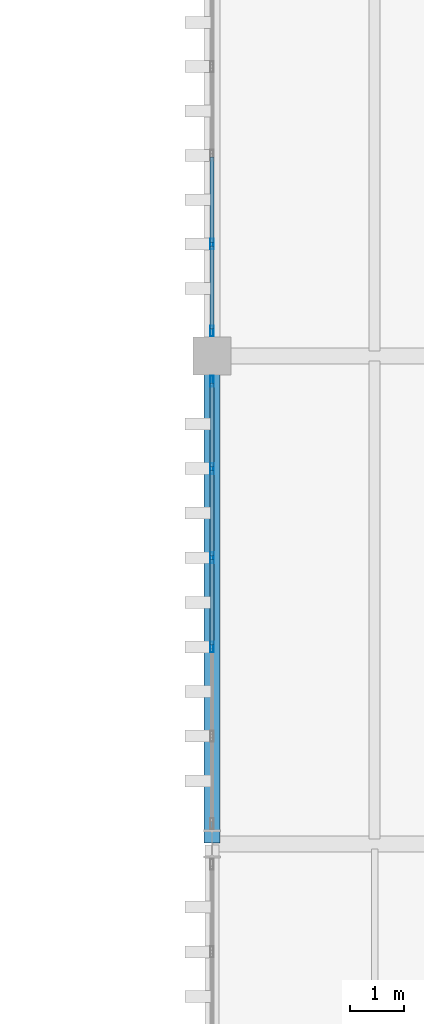
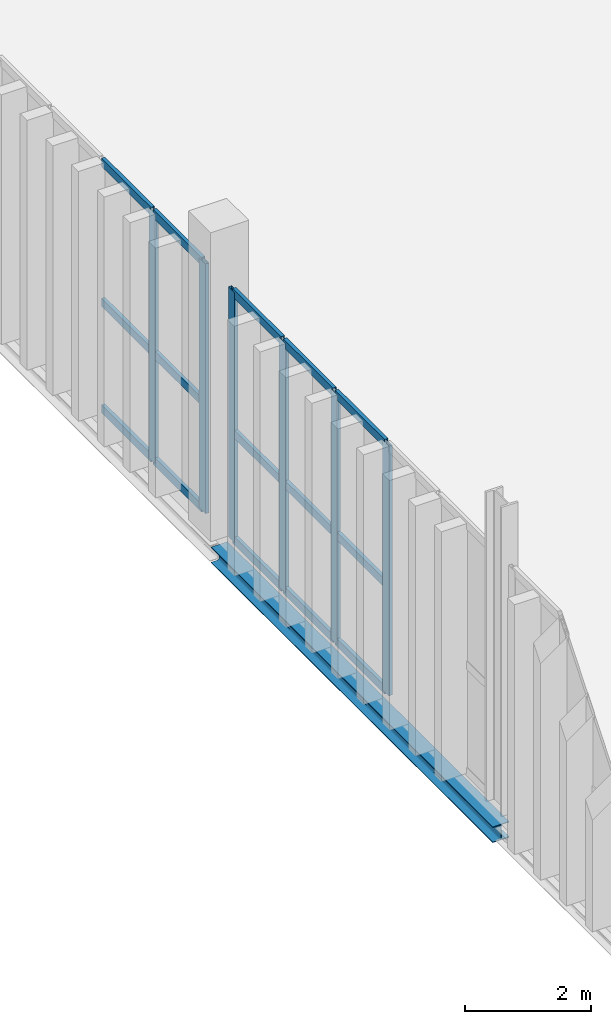
# One storey, part 75 of 237: 21 members, 1 beam, 2 elements without a shape of their own.
"""IFC4 building model written with IfcOpenShell, lengths in metres."""

import ifcopenshell
import ifcopenshell.guid

model = None  # the IFC model being written
_history = None  # IfcOwnerHistory: only IFC2X3 demands one
_inside = {}  # id of a spatial element -> (the spatial element, [elements in it])
_under = {}  # id of a project, library or spatial element -> (it, [spatial elements below it])
_declared = {}  # id of a project -> (the project, [libraries it declares])
_typed = {}  # id of a type object -> (the type object, [elements of that type])
_made_of = {}  # id of a material, layer set ... -> (it, [elements and type objects made of it])


def new_model(schema):
    """Start an empty IFC model of exactly this schema.

    Asked for "IFC4X3", IfcOpenShell would pick the latest addendum, in which some entities
    have other attributes; the version numbers below select the first issue.
    IFC2X3 requires an IfcOwnerHistory on every rooted entity: one is made here for all.
    """
    global model, _history
    if schema == "IFC4X3":
        model = ifcopenshell.file(schema_version=(4, 3, 0, 0))
    else:
        model = ifcopenshell.file(schema=schema)
    _inside.clear()
    _under.clear()
    _declared.clear()
    _typed.clear()
    _made_of.clear()
    _history = None
    if model.schema == "IFC2X3":
        org = make("IfcOrganization", Name="unknown")
        user = make(
            "IfcPersonAndOrganization",
            ThePerson=make("IfcPerson", FamilyName="unknown"),
            TheOrganization=org,
        )
        app = make(
            "IfcApplication",
            ApplicationDeveloper=org,
            Version="unknown",
            ApplicationFullName="unknown",
            ApplicationIdentifier="unknown",
        )
        _history = make(
            "IfcOwnerHistory",
            OwningUser=user,
            OwningApplication=app,
            ChangeAction="ADDED",
            CreationDate=0,
        )
    return model


def make(cls, **values):
    """One entity of the class cls with the attributes given. An attribute that is None is left unset."""
    return model.create_entity(
        cls, **{name: value for name, value in values.items() if value is not None}
    )


def rooted(cls, **values):
    """An entity with a GlobalId (a new one), such as an element, a storey or a relation."""
    return make(cls, GlobalId=ifcopenshell.guid.new(), OwnerHistory=_history, **values)


def si_unit(unit_type, name, prefix=None):
    """IfcSIUnit, for example si_unit("LENGTHUNIT", "METRE", prefix="MILLI")."""
    return make("IfcSIUnit", UnitType=unit_type, Prefix=prefix, Name=name)


def assignment(units):
    """IfcUnitAssignment: the units of a project."""
    return None if units is None else make("IfcUnitAssignment", Units=units)


def point(xyz):
    """IfcCartesianPoint."""
    return None if xyz is None else make("IfcCartesianPoint", Coordinates=xyz)


def direction(xyz):
    """IfcDirection."""
    return None if xyz is None else make("IfcDirection", DirectionRatios=xyz)


def frame(location, z_axis=None, x_axis=None):
    """IfcAxis2Placement3D, a coordinate frame: its origin and axes. An axis left out is left unset."""
    return make(
        "IfcAxis2Placement3D",
        Location=point(location),
        Axis=direction(z_axis),
        RefDirection=direction(x_axis),
    )


def frame_2d(location, x_axis=None):
    """IfcAxis2Placement2D, a coordinate frame in the plane: its origin and x axis."""
    return make(
        "IfcAxis2Placement2D", Location=point(location), RefDirection=direction(x_axis)
    )


def origin():
    """The frame at (0, 0, 0) with its axes left unset."""
    return frame((0.0, 0.0, 0.0))


def origin_2d():
    """The frame at (0, 0) in the plane with its x axis left unset."""
    return frame_2d((0.0, 0.0))


def place(relative_to, where):
    """IfcLocalPlacement: puts the frame where relative to a parent placement (None: the world)."""
    return make(
        "IfcLocalPlacement", PlacementRelTo=relative_to, RelativePlacement=where
    )


def context(
    kind, dimensions, precision=None, world=None, true_north=None, identifier=None
):
    """IfcGeometricRepresentationContext, for example the 3D "Model" context."""
    return make(
        "IfcGeometricRepresentationContext",
        ContextIdentifier=identifier,
        ContextType=kind,
        CoordinateSpaceDimension=dimensions,
        Precision=precision,
        WorldCoordinateSystem=world,
        TrueNorth=true_north,
    )


def subcontext(parent, identifier, kind, view, scale=None):
    """IfcGeometricRepresentationSubContext, for example "Body" below "Model"."""
    return make(
        "IfcGeometricRepresentationSubContext",
        ContextIdentifier=identifier,
        ContextType=kind,
        ParentContext=parent,
        TargetScale=scale,
        TargetView=view,
    )


def project(units=None, contexts=None):
    """IfcProject with its units and contexts."""
    return rooted(
        "IfcProject",
        Name="project",
        RepresentationContexts=contexts,
        UnitsInContext=assignment(units),
    )


def spatial(cls, under=None, at=None, **own):
    """A site, building, storey or space (cls), placed at a placement, below another one or the project."""
    s = rooted(cls, ObjectPlacement=at, **own)
    if under is not None:
        _under.setdefault(under.id(), (under, []))[1].append(s)
    return s


def profile(cls, at=None, kind="AREA", **sizes):
    """A parametric profile (cls). Its sizes go by their IFC names, for example OverallWidth=200.0."""
    return make(cls, ProfileType=kind, Position=at, **sizes)


def hollow_rectangle(**sizes):
    """IfcRectangleHollowProfileDef."""
    return profile("IfcRectangleHollowProfileDef", **sizes)


def i_section(**sizes):
    """IfcIShapeProfileDef."""
    return profile("IfcIShapeProfileDef", **sizes)


def extrude(swept, where, along, depth):
    """IfcExtrudedAreaSolid: the profile swept, set in the frame where, extruded along a direction by depth."""
    return make(
        "IfcExtrudedAreaSolid",
        SweptArea=swept,
        Position=where,
        ExtrudedDirection=direction(along),
        Depth=depth,
    )


def shape(context_of_items, identifier, shape_type, items):
    """IfcShapeRepresentation: the items that make up one representation, for example the "Body"."""
    return make(
        "IfcShapeRepresentation",
        ContextOfItems=context_of_items,
        RepresentationIdentifier=identifier,
        RepresentationType=shape_type,
        Items=items,
    )


def material(Name=None, Category=None):
    """IfcMaterial."""
    return make("IfcMaterial", Name=Name, Category=Category)


def layer(
    of_material, thickness, ventilated=None, Name=None, Category=None, Priority=None
):
    """IfcMaterialLayer: one layer of a wall or slab, of a material (None: an air gap)."""
    return make(
        "IfcMaterialLayer",
        Material=of_material,
        LayerThickness=thickness,
        IsVentilated=ventilated,
        Name=Name,
        Category=Category,
        Priority=Priority,
    )


def layer_set(layers, Name=None):
    """IfcMaterialLayerSet."""
    return make("IfcMaterialLayerSet", MaterialLayers=layers, LayerSetName=Name)


def material_profile(
    of_material, cross_section, Name=None, Category=None, Priority=None
):
    """IfcMaterialProfile: a cross section and its material."""
    return make(
        "IfcMaterialProfile",
        Name=Name,
        Material=of_material,
        Profile=cross_section,
        Priority=Priority,
        Category=Category,
    )


def profile_set(profiles, Name=None, composite=None):
    """IfcMaterialProfileSet."""
    return make(
        "IfcMaterialProfileSet",
        Name=Name,
        MaterialProfiles=profiles,
        CompositeProfile=composite,
    )


def made_of(thing, what):
    """Note that an element or type object is made of a material, layer set ...; save() writes the relation."""
    if what is not None:
        _made_of.setdefault(what.id(), (what, []))[1].append(thing)
    return thing


def type_object(cls, material=None, **own):
    """A type object (cls), such as IfcWallType, which elements share."""
    return made_of(rooted(cls, **own), material)


def element(
    cls,
    number,
    at=None,
    inside=None,
    cuts=None,
    type_object=None,
    material=None,
    context=None,
    identifier="Body",
    shape_type=None,
    held_by="IfcProductDefinitionShape",
    body=None,
    shapes=None,
    **own,
):
    """One element of the class cls, such as IfcWall. Its Tag is "e" and its number.

    at: its placement. inside: the storey or other place that contains it. cuts: it is an
    opening in that element (IfcRelVoidsElement). A single representation is given by context,
    identifier, shape_type and body (its items); several are given by shapes. held_by: the class
    of the entity that holds the representations. save() writes the other relations.
    """
    e = rooted(cls, Tag="e%d" % number, ObjectPlacement=at, **own)
    if body is not None:
        shapes = [shape(context, identifier, shape_type, body)]
    if shapes is not None:
        e.Representation = make(held_by, Representations=shapes)
    if inside is not None:
        _inside.setdefault(inside.id(), (inside, []))[1].append(e)
    if cuts is not None:
        rooted(
            "IfcRelVoidsElement", RelatingBuildingElement=cuts, RelatedOpeningElement=e
        )
    if type_object is not None:
        _typed.setdefault(type_object.id(), (type_object, []))[1].append(e)
    return made_of(e, material)


def aggregate(whole, parts):
    """IfcRelAggregates: a whole, such as a stair, and the parts it consists of."""
    return rooted("IfcRelAggregates", RelatingObject=whole, RelatedObjects=parts)


def save(model, path):
    """Write the relations noted so far, then the file.

    IfcRelAggregates (storeys below a building ...), IfcRelContainedInSpatialStructure (elements
    in a storey), IfcRelDefinesByType, IfcRelAssociatesMaterial and IfcRelDeclares: one each for
    every whole, place, type object, material and project.
    """
    for whole, parts in _under.values():
        aggregate(whole, parts)
    for where, things in _inside.values():
        rooted(
            "IfcRelContainedInSpatialStructure",
            RelatedElements=things,
            RelatingStructure=where,
        )
    for kind, things in _typed.values():
        rooted("IfcRelDefinesByType", RelatedObjects=things, RelatingType=kind)
    for what, things in _made_of.values():
        rooted("IfcRelAssociatesMaterial", RelatedObjects=things, RelatingMaterial=what)
    for by, libraries in _declared.values():
        rooted("IfcRelDeclares", RelatingContext=by, RelatedDefinitions=libraries)
    model.write(path)


model = new_model("IFC4")

# Units and contexts
model_context = context("Model", 3, precision=1e-05, world=origin(), true_north=direction((0.0, 1.0)))
body_context = subcontext(model_context, "Body", "Model", "MODEL_VIEW")
ifc_project = project(units=[si_unit("LENGTHUNIT", "METRE"), si_unit("AREAUNIT", "SQUARE_METRE"), si_unit("VOLUMEUNIT", "CUBIC_METRE"), si_unit("PLANEANGLEUNIT", "RADIAN"), si_unit("MASSUNIT", "GRAM", prefix="KILO")], contexts=[model_context])

# Site, building, storey
site_placement = place(None, origin())
site = spatial("IfcSite", under=ifc_project, at=site_placement, CompositionType="ELEMENT")
building_placement = place(site_placement, origin())
building = spatial("IfcBuilding", under=site, at=building_placement, Name="Barlavento Convention Centre", CompositionType="ELEMENT")
storey_placement = place(building_placement, frame((0.0, 0.0, 12.0)))
storey = spatial("IfcBuildingStorey", under=building, at=storey_placement, Name="L02", CompositionType="ELEMENT", Elevation=12.0)

# Curtain wall, members
ifc_material_1 = material(Name="Powder-coated aluminium and Low-E glass", Category="aluminium")
ifc_layer = layer(ifc_material_1, 0.195068359375)
ifc_layer_set = layer_set([ifc_layer], Name="ARC-CW-BALL-L02")
curtain_wall_type = type_object("IfcCurtainWallType", Name="ARC-CW-BALL-L02", PredefinedType="NOTDEFINED", material=ifc_layer_set)
curtain_wall_1_placement = place(storey_placement, origin())
curtain_wall_1 = element("IfcCurtainWall", 1, at=curtain_wall_1_placement, inside=storey, type_object=curtain_wall_type, Name="L02 unitised curtain wall CW07", PredefinedType="NOTDEFINED")
ifc_material_2 = material(Name="Powder-coated aluminium", Category="aluminium")
ifc_material_profile_1 = material_profile(ifc_material_2, hollow_rectangle(XDim=0.06494140625, YDim=0.199951171875, WallThickness=0.0048828125, at=origin_2d()), Name="AL-MULL 65x200x5")
ifc_profile_set_1 = profile_set([ifc_material_profile_1], Name="Powder-coated aluminium")
member_type_1 = type_object("IfcMemberType", Name="ARC-CWM-65X200", PredefinedType="MULLION", material=ifc_profile_set_1)
member_1_placement = place(storey_placement, frame((126.0, 12.63330078125, 0.0), z_axis=(0.0, 0.0, 1.0), x_axis=(-1.0, 0.0, 0.0)))
member_1 = element("IfcMember", 2, at=member_1_placement, type_object=member_type_1, Name="CW07 mullion 3", PredefinedType="MULLION", context=body_context, shape_type="SweptSolid", body=[
    extrude(hollow_rectangle(XDim=0.06494140625, YDim=0.199951171875, WallThickness=0.0048828125, at=origin_2d()), origin(), (0.0, 0.0, 1.0), 4.85009765625),
])
member_2_placement = place(storey_placement, frame((126.0, 14.27880859375, 0.0), z_axis=(0.0, 0.0, 1.0), x_axis=(-1.0, 0.0, 0.0)))
member_2 = element("IfcMember", 3, at=member_2_placement, type_object=member_type_1, Name="CW07 mullion 4", PredefinedType="MULLION", context=body_context, shape_type="SweptSolid", body=[
    extrude(hollow_rectangle(XDim=0.06494140625, YDim=0.199951171875, WallThickness=0.0048828125, at=origin_2d()), origin(), (0.0, 0.0, 1.0), 4.85009765625),
])
member_3_placement = place(storey_placement, frame((126.0, 15.92431640625, 0.0), z_axis=(0.0, 0.0, 1.0), x_axis=(-1.0, 0.0, 0.0)))
member_3 = element("IfcMember", 4, at=member_3_placement, type_object=member_type_1, Name="CW07 mullion 5", PredefinedType="MULLION", context=body_context, shape_type="SweptSolid", body=[
    extrude(hollow_rectangle(XDim=0.06494140625, YDim=0.199951171875, WallThickness=0.0048828125, at=origin_2d()), origin(), (0.0, 0.0, 1.0), 4.85009765625),
])
member_4_placement = place(storey_placement, frame((126.0, 17.53759765625, 0.0), z_axis=(0.0, 0.0, 1.0), x_axis=(-1.0, 0.0, 0.0)))
member_4 = element("IfcMember", 5, at=member_4_placement, type_object=member_type_1, Name="CW07 mullion 6", PredefinedType="MULLION", context=body_context, shape_type="SweptSolid", body=[
    extrude(hollow_rectangle(XDim=0.06494140625, YDim=0.199951171875, WallThickness=0.0048828125, at=origin_2d()), origin(), (0.0, 0.0, 1.0), 4.85009765625),
])

curtain_wall_2_placement = place(storey_placement, origin())
curtain_wall_2 = element("IfcCurtainWall", 6, at=curtain_wall_2_placement, inside=storey, type_object=curtain_wall_type, Name="L02 unitised curtain wall CW07", PredefinedType="NOTDEFINED")
member_5_placement = place(storey_placement, frame((126.0, 18.46240234375, 0.0), z_axis=(0.0, 0.0, 1.0), x_axis=(-1.0, 0.0, 0.0)))
member_5 = element("IfcMember", 7, at=member_5_placement, type_object=member_type_1, Name="CW07 mullion 1", PredefinedType="MULLION", context=body_context, shape_type="SweptSolid", body=[
    extrude(hollow_rectangle(XDim=0.06494140625, YDim=0.199951171875, WallThickness=0.0048828125, at=origin_2d()), origin(), (0.0, 0.0, 1.0), 4.85009765625),
])
member_6_placement = place(storey_placement, frame((126.0, 20.06591796875, 0.0), z_axis=(0.0, 0.0, 1.0), x_axis=(-1.0, 0.0, 0.0)))
member_6 = element("IfcMember", 8, at=member_6_placement, type_object=member_type_1, Name="CW07 mullion 2", PredefinedType="MULLION", context=body_context, shape_type="SweptSolid", body=[
    extrude(hollow_rectangle(XDim=0.06494140625, YDim=0.199951171875, WallThickness=0.0048828125, at=origin_2d()), origin(), (0.0, 0.0, 1.0), 4.85009765625),
])

# Member
ifc_material_profile_2 = material_profile(ifc_material_2, hollow_rectangle(XDim=0.06494140625, YDim=0.159912109375, WallThickness=0.0048828125, at=origin_2d()), Name="AL-TRAN 65x160x5")
ifc_profile_set_2 = profile_set([ifc_material_profile_2], Name="Powder-coated aluminium")
member_type_2 = type_object("IfcMemberType", Name="ARC-CWT-65X160", PredefinedType="USERDEFINED", material=ifc_profile_set_2)
member_7_placement = place(storey_placement, frame((126.0, 12.665771484375, 0.032470703125), z_axis=(0.0, 1.0, 0.0), x_axis=(-1.0, 0.0, 0.0)))
member_7 = element("IfcMember", 9, at=member_7_placement, type_object=member_type_2, Name="CW07 transom 3.1", ObjectType="TRANSOM", PredefinedType="USERDEFINED", context=body_context, shape_type="SweptSolid", body=[
    extrude(hollow_rectangle(XDim=0.06494140625, YDim=0.159912109375, WallThickness=0.0048828125, at=origin_2d()), origin(), (0.0, 0.0, 1.0), 1.58056640625),
])

member_8_placement = place(storey_placement, frame((126.0, 12.665771484375, 2.10009765625), z_axis=(0.0, 1.0, 0.0), x_axis=(-1.0, 0.0, 0.0)))
member_8 = element("IfcMember", 10, at=member_8_placement, type_object=member_type_2, Name="CW07 transom 3.2", ObjectType="TRANSOM", PredefinedType="USERDEFINED", context=body_context, shape_type="SweptSolid", body=[
    extrude(hollow_rectangle(XDim=0.06494140625, YDim=0.159912109375, WallThickness=0.0048828125, at=origin_2d()), origin(), (0.0, 0.0, 1.0), 1.58056640625),
])

member_9_placement = place(storey_placement, frame((126.0, 12.665771484375, 4.8173828125), z_axis=(0.0, 1.0, 0.0), x_axis=(-1.0, 0.0, 0.0)))
member_9 = element("IfcMember", 11, at=member_9_placement, type_object=member_type_2, Name="CW07 transom 3.3", ObjectType="TRANSOM", PredefinedType="USERDEFINED", context=body_context, shape_type="SweptSolid", body=[
    extrude(hollow_rectangle(XDim=0.06494140625, YDim=0.159912109375, WallThickness=0.0048828125, at=origin_2d()), origin(), (0.0, 0.0, 1.0), 1.58056640625),
])

member_10_placement = place(storey_placement, frame((126.0, 14.311279296875, 0.032470703125), z_axis=(0.0, 1.0, 0.0), x_axis=(-1.0, 0.0, 0.0)))
member_10 = element("IfcMember", 12, at=member_10_placement, type_object=member_type_2, Name="CW07 transom 4.1", ObjectType="TRANSOM", PredefinedType="USERDEFINED", context=body_context, shape_type="SweptSolid", body=[
    extrude(hollow_rectangle(XDim=0.06494140625, YDim=0.159912109375, WallThickness=0.0048828125, at=origin_2d()), origin(), (0.0, 0.0, 1.0), 1.58056640625),
])

member_11_placement = place(storey_placement, frame((126.0, 14.311279296875, 2.10009765625), z_axis=(0.0, 1.0, 0.0), x_axis=(-1.0, 0.0, 0.0)))
member_11 = element("IfcMember", 13, at=member_11_placement, type_object=member_type_2, Name="CW07 transom 4.2", ObjectType="TRANSOM", PredefinedType="USERDEFINED", context=body_context, shape_type="SweptSolid", body=[
    extrude(hollow_rectangle(XDim=0.06494140625, YDim=0.159912109375, WallThickness=0.0048828125, at=origin_2d()), origin(), (0.0, 0.0, 1.0), 1.58056640625),
])

member_12_placement = place(storey_placement, frame((126.0, 14.311279296875, 4.8173828125), z_axis=(0.0, 1.0, 0.0), x_axis=(-1.0, 0.0, 0.0)))
member_12 = element("IfcMember", 14, at=member_12_placement, type_object=member_type_2, Name="CW07 transom 4.3", ObjectType="TRANSOM", PredefinedType="USERDEFINED", context=body_context, shape_type="SweptSolid", body=[
    extrude(hollow_rectangle(XDim=0.06494140625, YDim=0.159912109375, WallThickness=0.0048828125, at=origin_2d()), origin(), (0.0, 0.0, 1.0), 1.58056640625),
])

member_13_placement = place(storey_placement, frame((126.0, 15.956787109375, 0.032470703125), z_axis=(0.0, 1.0, 0.0), x_axis=(-1.0, 0.0, 0.0)))
member_13 = element("IfcMember", 15, at=member_13_placement, type_object=member_type_2, Name="CW07 transom 5.1", ObjectType="TRANSOM", PredefinedType="USERDEFINED", context=body_context, shape_type="SweptSolid", body=[
    extrude(hollow_rectangle(XDim=0.06494140625, YDim=0.159912109375, WallThickness=0.0048828125, at=origin_2d()), origin(), (0.0, 0.0, 1.0), 1.548095703125),
])

member_14_placement = place(storey_placement, frame((126.0, 15.956787109375, 2.10009765625), z_axis=(0.0, 1.0, 0.0), x_axis=(-1.0, 0.0, 0.0)))
member_14 = element("IfcMember", 16, at=member_14_placement, type_object=member_type_2, Name="CW07 transom 5.2", ObjectType="TRANSOM", PredefinedType="USERDEFINED", context=body_context, shape_type="SweptSolid", body=[
    extrude(hollow_rectangle(XDim=0.06494140625, YDim=0.159912109375, WallThickness=0.0048828125, at=origin_2d()), origin(), (0.0, 0.0, 1.0), 1.548095703125),
])

member_15_placement = place(storey_placement, frame((126.0, 15.956787109375, 4.8173828125), z_axis=(0.0, 1.0, 0.0), x_axis=(-1.0, 0.0, 0.0)))
member_15 = element("IfcMember", 17, at=member_15_placement, type_object=member_type_2, Name="CW07 transom 5.3", ObjectType="TRANSOM", PredefinedType="USERDEFINED", context=body_context, shape_type="SweptSolid", body=[
    extrude(hollow_rectangle(XDim=0.06494140625, YDim=0.159912109375, WallThickness=0.0048828125, at=origin_2d()), origin(), (0.0, 0.0, 1.0), 1.548095703125),
])

aggregate(curtain_wall_1, [member_1, member_2, member_3, member_4, member_7, member_8, member_9, member_10, member_11, member_12, member_13, member_14, member_15])

member_16_placement = place(storey_placement, frame((126.0, 18.4951171875, 0.032470703125), z_axis=(0.0, 1.0, 0.0), x_axis=(-1.0, 0.0, 0.0)))
member_16 = element("IfcMember", 18, at=member_16_placement, type_object=member_type_2, Name="CW07 transom 1.1", ObjectType="TRANSOM", PredefinedType="USERDEFINED", context=body_context, shape_type="SweptSolid", body=[
    extrude(hollow_rectangle(XDim=0.06494140625, YDim=0.159912109375, WallThickness=0.0048828125, at=origin_2d()), origin(), (0.0, 0.0, 1.0), 1.538330078125),
])

member_17_placement = place(storey_placement, frame((126.0, 18.4951171875, 2.10009765625), z_axis=(0.0, 1.0, 0.0), x_axis=(-1.0, 0.0, 0.0)))
member_17 = element("IfcMember", 19, at=member_17_placement, type_object=member_type_2, Name="CW07 transom 1.2", ObjectType="TRANSOM", PredefinedType="USERDEFINED", context=body_context, shape_type="SweptSolid", body=[
    extrude(hollow_rectangle(XDim=0.06494140625, YDim=0.159912109375, WallThickness=0.0048828125, at=origin_2d()), origin(), (0.0, 0.0, 1.0), 1.538330078125),
])

member_18_placement = place(storey_placement, frame((126.0, 18.4951171875, 4.8173828125), z_axis=(0.0, 1.0, 0.0), x_axis=(-1.0, 0.0, 0.0)))
member_18 = element("IfcMember", 20, at=member_18_placement, type_object=member_type_2, Name="CW07 transom 1.3", ObjectType="TRANSOM", PredefinedType="USERDEFINED", context=body_context, shape_type="SweptSolid", body=[
    extrude(hollow_rectangle(XDim=0.06494140625, YDim=0.159912109375, WallThickness=0.0048828125, at=origin_2d()), origin(), (0.0, 0.0, 1.0), 1.538330078125),
])

member_19_placement = place(storey_placement, frame((126.0, 20.098388671875, 0.032470703125), z_axis=(0.0, 1.0, 0.0), x_axis=(-1.0, 0.0, 0.0)))
member_19 = element("IfcMember", 21, at=member_19_placement, type_object=member_type_2, Name="CW07 transom 2.1", ObjectType="TRANSOM", PredefinedType="USERDEFINED", context=body_context, shape_type="SweptSolid", body=[
    extrude(hollow_rectangle(XDim=0.06494140625, YDim=0.159912109375, WallThickness=0.0048828125, at=origin_2d()), origin(), (0.0, 0.0, 1.0), 1.571044921875),
])

member_20_placement = place(storey_placement, frame((126.0, 20.098388671875, 2.10009765625), z_axis=(0.0, 1.0, 0.0), x_axis=(-1.0, 0.0, 0.0)))
member_20 = element("IfcMember", 22, at=member_20_placement, type_object=member_type_2, Name="CW07 transom 2.2", ObjectType="TRANSOM", PredefinedType="USERDEFINED", context=body_context, shape_type="SweptSolid", body=[
    extrude(hollow_rectangle(XDim=0.06494140625, YDim=0.159912109375, WallThickness=0.0048828125, at=origin_2d()), origin(), (0.0, 0.0, 1.0), 1.571044921875),
])

member_21_placement = place(storey_placement, frame((126.0, 20.098388671875, 4.8173828125), z_axis=(0.0, 1.0, 0.0), x_axis=(-1.0, 0.0, 0.0)))
member_21 = element("IfcMember", 23, at=member_21_placement, type_object=member_type_2, Name="CW07 transom 2.3", ObjectType="TRANSOM", PredefinedType="USERDEFINED", context=body_context, shape_type="SweptSolid", body=[
    extrude(hollow_rectangle(XDim=0.06494140625, YDim=0.159912109375, WallThickness=0.0048828125, at=origin_2d()), origin(), (0.0, 0.0, 1.0), 1.571044921875),
])

aggregate(curtain_wall_2, [member_5, member_6, member_16, member_17, member_18, member_19, member_20, member_21])

# Beam
ifc_material_3 = material(Name="Steel S355", Category="steel")
ifc_material_profile_3 = material_profile(ifc_material_3, i_section(OverallWidth=0.300048828125, OverallDepth=0.31005859375, WebThickness=0.009033203125, FlangeThickness=0.015380859375, FilletRadius=0.027099609375, at=origin_2d()), Name="HEA 320")
ifc_profile_set_3 = profile_set([ifc_material_profile_3], Name="Steel S355")
beam_type = type_object("IfcBeamType", Name="STR-BM-SPN-HEA320", PredefinedType="SPANDREL", material=ifc_profile_set_3)
beam_placement = place(storey_placement, frame((126.0, 9.02001953125, -0.52490234375), z_axis=(0.0, 1.0, 0.0), x_axis=(-1.0, 0.0, 0.0)))
element("IfcBeam", 24, at=beam_placement, inside=storey, type_object=beam_type, Name="L02 grid girder SP01", PredefinedType="SPANDREL", context=body_context, shape_type="SweptSolid", body=[
    extrude(i_section(OverallWidth=0.300048828125, OverallDepth=0.31005859375, WebThickness=0.009033203125, FlangeThickness=0.015380859375, FilletRadius=0.027099609375, at=origin_2d()), origin(), (0.0, 0.0, 1.0), 8.9599609375),
])

save(model, "model.ifc")
